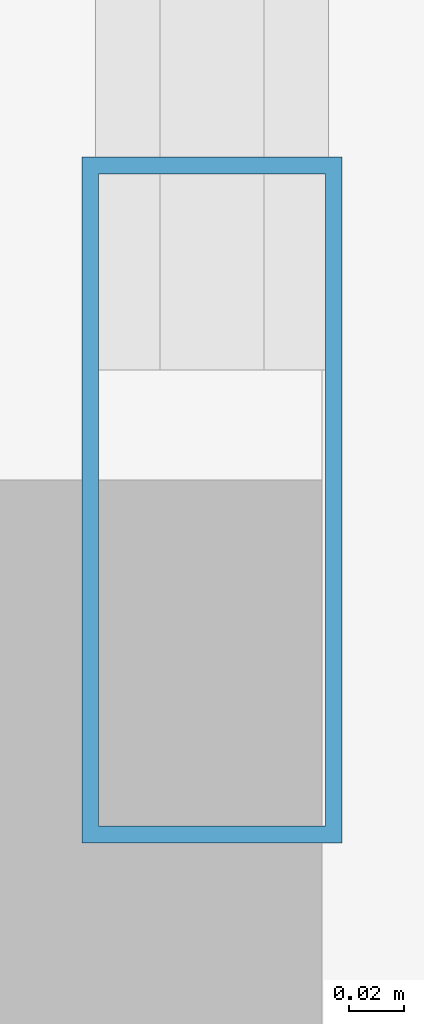
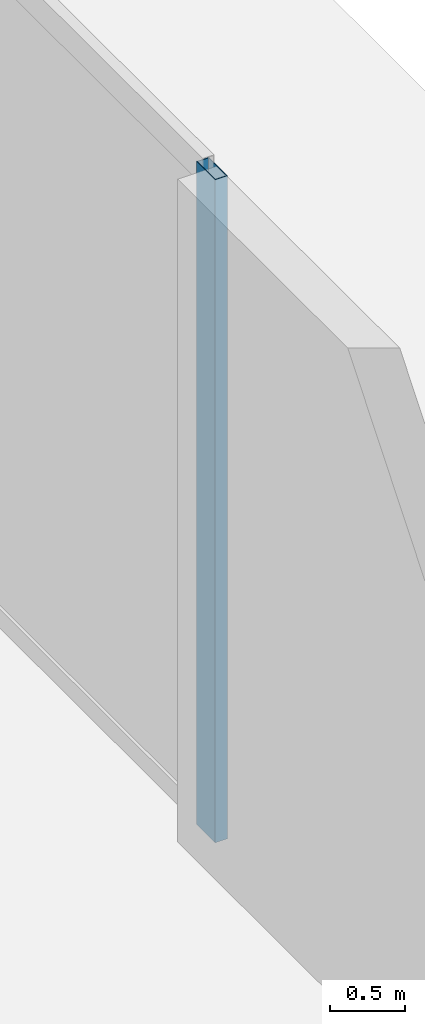
# One storey, part 9 of 27: 1 member, 1 element without a shape of its own.
"""IFC4 building model written with IfcOpenShell, lengths in metres."""

from ifc_helpers import new_model, si_unit, direction, frame, origin, origin_2d, place, context, subcontext, project, spatial, hollow_rectangle, extrude, material, layer, layer_set, material_profile, profile_set, type_object, element, aggregate, save


model = new_model("IFC4")

# Units and contexts
model_context = context("Model", 3, precision=1e-05, world=origin(), true_north=direction((0.0, 1.0)))
body_context = subcontext(model_context, "Body", "Model", "MODEL_VIEW")
ifc_project = project(units=[si_unit("LENGTHUNIT", "METRE"), si_unit("AREAUNIT", "SQUARE_METRE"), si_unit("VOLUMEUNIT", "CUBIC_METRE"), si_unit("PLANEANGLEUNIT", "RADIAN"), si_unit("MASSUNIT", "GRAM", prefix="KILO"), si_unit("THERMODYNAMICTEMPERATUREUNIT", "KELVIN"), si_unit("POWERUNIT", "WATT")], contexts=[model_context])

# Site, building, storey
site_placement = place(None, origin())
site = spatial("IfcSite", under=ifc_project, at=site_placement, CompositionType="ELEMENT")
building_placement = place(site_placement, origin())
building = spatial("IfcBuilding", under=site, at=building_placement, Name="Svarakhadi Broadcast Tower", CompositionType="ELEMENT")
storey_placement = place(building_placement, origin())
storey = spatial("IfcBuildingStorey", under=building, at=storey_placement, Name="L00", CompositionType="ELEMENT", Elevation=0.0)

# Curtain wall, member
ifc_material = material(Name="Anodised Bronze Aluminium AA 6063-T6", Category="aluminium")
ifc_layer = layer(ifc_material, 0.25)
ifc_layer_set = layer_set([ifc_layer], Name="Anodised Bronze Aluminium AA 6063-T6")
curtain_wall_type = type_object("IfcCurtainWallType", Name="CW_Sys_01", PredefinedType="NOTDEFINED", material=ifc_layer_set)
curtain_wall_placement = place(storey_placement, origin())
curtain_wall = element("IfcCurtainWall", 1, at=curtain_wall_placement, inside=storey, type_object=curtain_wall_type, Name="L00 Podium Glazed Curtain Wall 03", PredefinedType="NOTDEFINED")
ifc_material_profile = material_profile(ifc_material, hollow_rectangle(XDim=0.094970703125, YDim=0.25, WallThickness=0.006103515625, at=origin_2d()), Name="ALU MULLION 250x95x6")
ifc_profile_set = profile_set([ifc_material_profile], Name="Anodised Bronze Aluminium AA 6063-T6")
member_type = type_object("IfcMemberType", Name="CW_Sys_01_Mul", PredefinedType="MULLION", material=ifc_profile_set)
member_placement = place(storey_placement, frame((62.9599609375, 29.28759765625, 0.0), z_axis=(0.0, 0.0, 1.0), x_axis=(1.0, 0.0, 0.0)))
member = element("IfcMember", 2, at=member_placement, type_object=member_type, Name="CW-01 mullion 3", PredefinedType="MULLION", context=body_context, shape_type="SweptSolid", body=[
    extrude(hollow_rectangle(XDim=0.094970703125, YDim=0.25, WallThickness=0.006103515625, at=origin_2d()), origin(), (0.0, 0.0, 1.0), 5.39990234375),
])
aggregate(curtain_wall, [member])

save(model, "model.ifc")
